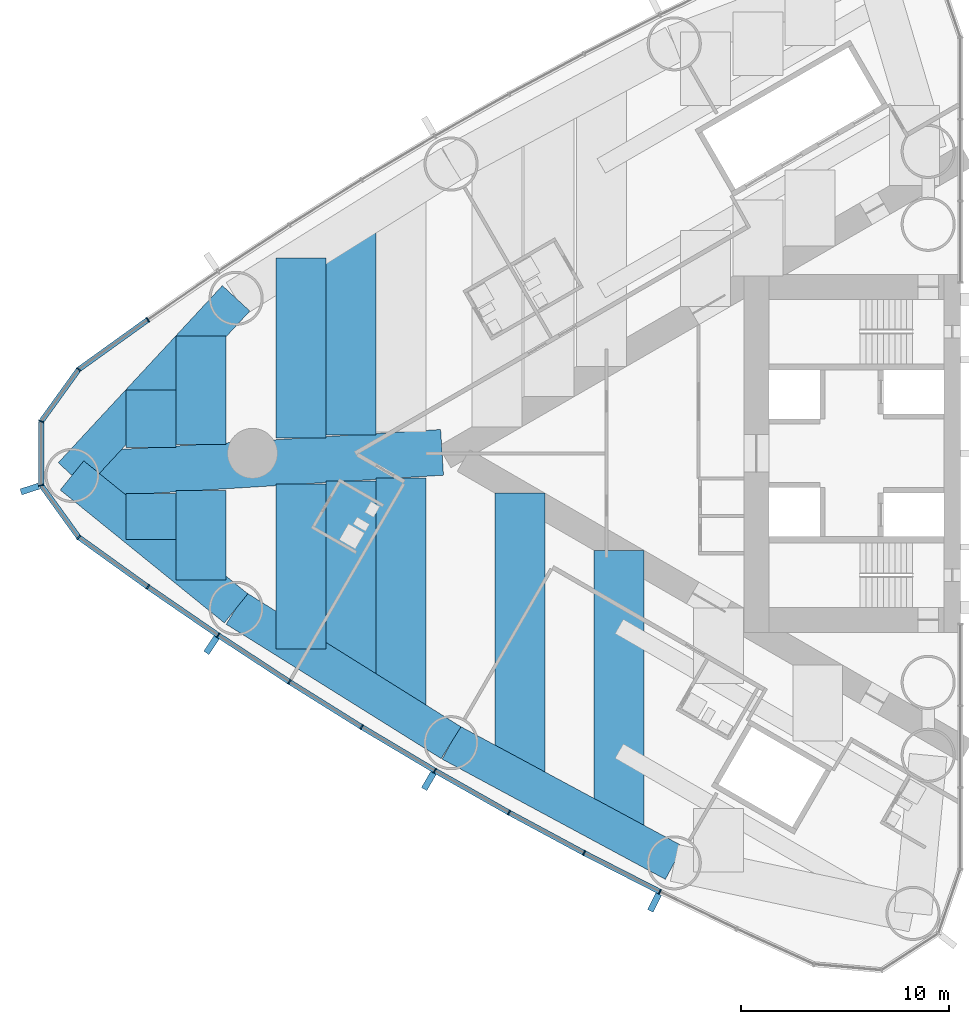
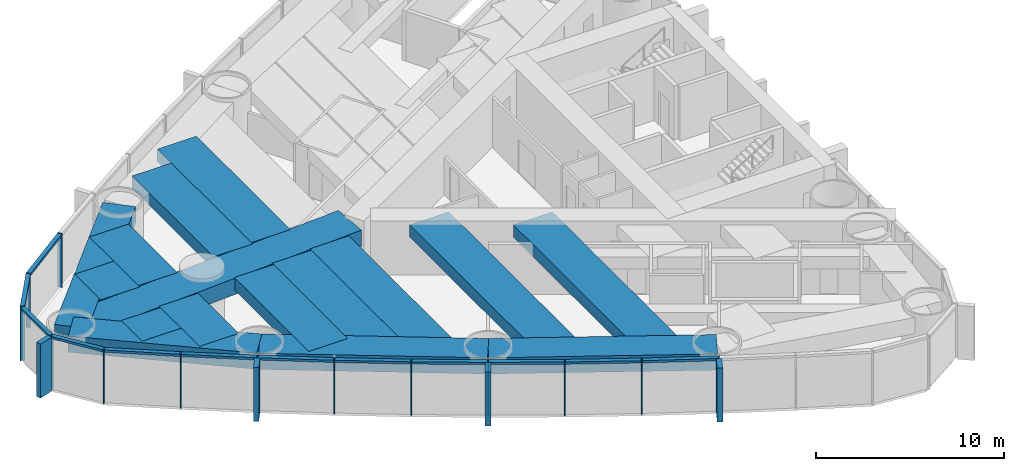
# One storey, part 2 of 18: 29 members, 16 beams, 1 element without a shape of its own.
"""IFC4 building model written with IfcOpenShell, lengths in metres."""

from ifc_helpers import new_model, si_unit, direction, frame, origin, origin_2d, place, context, subcontext, project, spatial, rectangle, extrude, material, material_profile, profile_set, type_object, element, aggregate, save


model = new_model("IFC4")

# Units and contexts
model_context = context("Model", 3, precision=1e-05, world=origin(), true_north=direction((0.0, 1.0)))
body_context = subcontext(model_context, "Body", "Model", "MODEL_VIEW")
ifc_project = project(units=[si_unit("LENGTHUNIT", "METRE"), si_unit("AREAUNIT", "SQUARE_METRE"), si_unit("VOLUMEUNIT", "CUBIC_METRE"), si_unit("PLANEANGLEUNIT", "RADIAN"), si_unit("MASSUNIT", "GRAM", prefix="KILO")], contexts=[model_context])

# Site, building, storey
site_placement = place(None, origin())
site = spatial("IfcSite", under=ifc_project, at=site_placement, CompositionType="ELEMENT")
building_placement = place(site_placement, origin())
building = spatial("IfcBuilding", under=site, at=building_placement, Name="Lancet Gate Hotel", CompositionType="ELEMENT")
storey_placement = place(building_placement, frame((0.0, 0.0, 118.60009765625)))
storey = spatial("IfcBuildingStorey", under=building, at=storey_placement, Name="L31", CompositionType="ELEMENT", Elevation=118.60009765625)

# Curtain wall, members
ifc_material_1 = material(Name="Aluminium curtain wall", Category="aluminium")
curtain_wall_type = type_object("IfcCurtainWallType", Name="Tower unitised curtain wall", PredefinedType="USERDEFINED", material=ifc_material_1)
curtain_wall_placement = place(storey_placement, origin())
curtain_wall = element("IfcCurtainWall", 1, at=curtain_wall_placement, inside=storey, type_object=curtain_wall_type, Name="T1 L31 curtain wall 1", ObjectType="UNITISED CURTAIN WALL", PredefinedType="USERDEFINED")
ifc_material_2 = material(Name="Aluminium mullion", Category="aluminium")
ifc_material_profile_1 = material_profile(ifc_material_2, rectangle(XDim=0.06494140625, YDim=0.25, at=origin_2d()), Name="MULLION 65x250")
ifc_profile_set_1 = profile_set([ifc_material_profile_1], Name="Aluminium mullion")
member_type_1 = type_object("IfcMemberType", Name="Aluminium mullion 65x250", PredefinedType="MULLION", material=ifc_profile_set_1)
member_1_placement = place(storey_placement, frame((-66.5234375, 6.41650390625, 0.0), z_axis=(0.0, 0.0, 1.0), x_axis=(-0.818327221681, -0.574752606132, 0.0)))
member_1 = element("IfcMember", 2, at=member_1_placement, type_object=member_type_1, Name="T1 L31 curtain wall 1 mullion 16", PredefinedType="MULLION", context=body_context, shape_type="SweptSolid", body=[
    extrude(rectangle(XDim=0.06494140625, YDim=0.25, at=origin_2d()), origin(), (0.0, 0.0, 1.0), 3.5),
])
member_2_placement = place(storey_placement, frame((-69.84619140625, 4.02880859375, 0.0), z_axis=(0.0, 0.0, 1.0), x_axis=(-0.723846229576, -0.6899613293, 0.0)))
member_2 = element("IfcMember", 3, at=member_2_placement, type_object=member_type_1, Name="T1 L31 curtain wall 1 mullion 17", PredefinedType="MULLION", context=body_context, shape_type="SweptSolid", body=[
    extrude(rectangle(XDim=0.06494140625, YDim=0.25, at=origin_2d()), origin(), (0.0, 0.0, 1.0), 3.5),
])
member_3_placement = place(storey_placement, frame((-71.64306640625, 1.536376953125, 0.0), z_axis=(0.0, 0.0, 1.0), x_axis=(-0.307269196735, -0.95162263568, 0.0)))
member_3 = element("IfcMember", 4, at=member_3_placement, type_object=member_type_1, Name="T1 L31 curtain wall 1 mullion 18", PredefinedType="MULLION", context=body_context, shape_type="SweptSolid", body=[
    extrude(rectangle(XDim=0.06494140625, YDim=0.25, at=origin_2d()), origin(), (0.0, 0.0, 1.0), 3.5),
])
member_4_placement = place(storey_placement, frame((-71.64306640625, -1.536376953125, 0.0), z_axis=(0.0, 0.0, 1.0), x_axis=(0.307269196735, -0.95162263568, 0.0)))
member_4 = element("IfcMember", 5, at=member_4_placement, type_object=member_type_1, Name="T1 L31 curtain wall 1 mullion 19", PredefinedType="MULLION", context=body_context, shape_type="SweptSolid", body=[
    extrude(rectangle(XDim=0.06494140625, YDim=0.25, at=origin_2d()), origin(), (0.0, 0.0, 1.0), 3.5),
])
member_5_placement = place(storey_placement, frame((-69.84619140625, -4.02880859375, 0.0), z_axis=(0.0, 0.0, 1.0), x_axis=(0.723846229576, -0.6899613293, 0.0)))
member_5 = element("IfcMember", 6, at=member_5_placement, type_object=member_type_1, Name="T1 L31 curtain wall 1 mullion 20", PredefinedType="MULLION", context=body_context, shape_type="SweptSolid", body=[
    extrude(rectangle(XDim=0.06494140625, YDim=0.25, at=origin_2d()), origin(), (0.0, 0.0, 1.0), 3.5),
])
member_6_placement = place(storey_placement, frame((-66.5234375, -6.41650390625, 0.0), z_axis=(0.0, 0.0, 1.0), x_axis=(0.818327221681, -0.574752606132, 0.0)))
member_6 = element("IfcMember", 7, at=member_6_placement, type_object=member_type_1, Name="T1 L31 curtain wall 1 mullion 21", PredefinedType="MULLION", context=body_context, shape_type="SweptSolid", body=[
    extrude(rectangle(XDim=0.06494140625, YDim=0.25, at=origin_2d()), origin(), (0.0, 0.0, 1.0), 3.5),
])
member_7_placement = place(storey_placement, frame((-63.14990234375, -8.73193359375, 0.0), z_axis=(0.0, 0.0, 1.0), x_axis=(0.830510096234, -0.557003572747, 0.0)))
member_7 = element("IfcMember", 8, at=member_7_placement, type_object=member_type_1, Name="T1 L31 curtain wall 1 mullion 22", PredefinedType="MULLION", context=body_context, shape_type="SweptSolid", body=[
    extrude(rectangle(XDim=0.06494140625, YDim=0.25, at=origin_2d()), origin(), (0.0, 0.0, 1.0), 3.5),
])
member_8_placement = place(storey_placement, frame((-59.7275390625, -10.974365234375, 0.0), z_axis=(0.0, 0.0, 1.0), x_axis=(0.84230807036, -0.538996395727, 0.0)))
member_8 = element("IfcMember", 9, at=member_8_placement, type_object=member_type_1, Name="T1 L31 curtain wall 1 mullion 23", PredefinedType="MULLION", context=body_context, shape_type="SweptSolid", body=[
    extrude(rectangle(XDim=0.06494140625, YDim=0.25, at=origin_2d()), origin(), (0.0, 0.0, 1.0), 3.5),
])
member_9_placement = place(storey_placement, frame((-56.257568359375, -13.142333984375, 0.0), z_axis=(0.0, 0.0, 1.0), x_axis=(0.853715676299, -0.52073942048, 0.0)))
member_9 = element("IfcMember", 10, at=member_9_placement, type_object=member_type_1, Name="T1 L31 curtain wall 1 mullion 24", PredefinedType="MULLION", context=body_context, shape_type="SweptSolid", body=[
    extrude(rectangle(XDim=0.06494140625, YDim=0.25, at=origin_2d()), origin(), (0.0, 0.0, 1.0), 3.5),
])
member_10_placement = place(storey_placement, frame((-52.74169921875, -15.2353515625, 0.0), z_axis=(0.0, 0.0, 1.0), x_axis=(0.86472762718, -0.502241108226, 0.0)))
member_10 = element("IfcMember", 11, at=member_10_placement, type_object=member_type_1, Name="T1 L31 curtain wall 1 mullion 25", PredefinedType="MULLION", context=body_context, shape_type="SweptSolid", body=[
    extrude(rectangle(XDim=0.06494140625, YDim=0.25, at=origin_2d()), origin(), (0.0, 0.0, 1.0), 3.5),
])
member_11_placement = place(storey_placement, frame((-49.181640625, -17.252197265625, 0.0), z_axis=(0.0, 0.0, 1.0), x_axis=(0.875338819507, -0.48351003202, 0.0)))
member_11 = element("IfcMember", 12, at=member_11_placement, type_object=member_type_1, Name="T1 L31 curtain wall 1 mullion 26", PredefinedType="MULLION", context=body_context, shape_type="SweptSolid", body=[
    extrude(rectangle(XDim=0.06494140625, YDim=0.25, at=origin_2d()), origin(), (0.0, 0.0, 1.0), 3.5),
])
member_12_placement = place(storey_placement, frame((-45.578857421875, -19.19189453125, 0.0), z_axis=(0.0, 0.0, 1.0), x_axis=(0.885544335517, -0.46455487279, 0.0)))
member_12 = element("IfcMember", 13, at=member_12_placement, type_object=member_type_1, Name="T1 L31 curtain wall 1 mullion 27", PredefinedType="MULLION", context=body_context, shape_type="SweptSolid", body=[
    extrude(rectangle(XDim=0.06494140625, YDim=0.25, at=origin_2d()), origin(), (0.0, 0.0, 1.0), 3.5),
])
member_13_placement = place(storey_placement, frame((-41.935302734375, -21.053466796875, 0.0), z_axis=(0.0, 0.0, 1.0), x_axis=(0.895339445458, -0.445384415317, 0.0)))
member_13 = element("IfcMember", 14, at=member_13_placement, type_object=member_type_1, Name="T1 L31 curtain wall 1 mullion 28", PredefinedType="MULLION", context=body_context, shape_type="SweptSolid", body=[
    extrude(rectangle(XDim=0.06494140625, YDim=0.25, at=origin_2d()), origin(), (0.0, 0.0, 1.0), 3.5),
])
ifc_material_3 = material(Name="Aluminium transom", Category="aluminium")
ifc_material_profile_2 = material_profile(ifc_material_3, rectangle(XDim=0.25, YDim=0.14990234375, at=origin_2d()), Name="TRANSOM 250x150")
ifc_profile_set_2 = profile_set([ifc_material_profile_2], Name="Aluminium transom")
member_type_2 = type_object("IfcMemberType", Name="Aluminium transom 250x150", PredefinedType="USERDEFINED", material=ifc_profile_set_2)
member_14_placement = place(storey_placement, frame((-66.5498046875, 6.3974609375, 3.4248046875), z_axis=(-0.812099770796, -0.583518604908, 0.0), x_axis=(0.583518604908, -0.812099770796, 0.0)))
member_14 = element("IfcMember", 15, at=member_14_placement, type_object=member_type_2, Name="T1 L31 curtain wall 1 transom 16", ObjectType="TRANSOM", PredefinedType="USERDEFINED", context=body_context, shape_type="SweptSolid", body=[
    extrude(rectangle(XDim=0.25, YDim=0.14990234375, at=origin_2d()), origin(), (0.0, 0.0, 1.0), 4.026611328125),
])
member_15_placement = place(storey_placement, frame((-69.865234375, 4.00244140625, 3.4248046875), z_axis=(-0.584787911241, -0.81118622946, 0.0), x_axis=(0.81118622946, -0.584787911241, 0.0)))
member_15 = element("IfcMember", 16, at=member_15_placement, type_object=member_type_2, Name="T1 L31 curtain wall 1 transom 17", ObjectType="TRANSOM", PredefinedType="USERDEFINED", context=body_context, shape_type="SweptSolid", body=[
    extrude(rectangle(XDim=0.25, YDim=0.14990234375, at=origin_2d()), origin(), (0.0, 0.0, 1.0), 3.007568359375),
])
member_16_placement = place(storey_placement, frame((-71.64306640625, 1.50390625, 3.4248046875), z_axis=(0.0, -1.0, 0.0), x_axis=(1.0, 0.0, 0.0)))
member_16 = element("IfcMember", 17, at=member_16_placement, type_object=member_type_2, Name="T1 L31 curtain wall 1 transom 18", ObjectType="TRANSOM", PredefinedType="USERDEFINED", context=body_context, shape_type="SweptSolid", body=[
    extrude(rectangle(XDim=0.25, YDim=0.14990234375, at=origin_2d()), origin(), (0.0, 0.0, 1.0), 3.0078125),
])
member_17_placement = place(storey_placement, frame((-71.6240234375, -1.562744140625, 3.4248046875), z_axis=(0.584787911241, -0.81118622946, 0.0), x_axis=(0.81118622946, 0.584787911241, 0.0)))
member_17 = element("IfcMember", 18, at=member_17_placement, type_object=member_type_2, Name="T1 L31 curtain wall 1 transom 19", ObjectType="TRANSOM", PredefinedType="USERDEFINED", context=body_context, shape_type="SweptSolid", body=[
    extrude(rectangle(XDim=0.25, YDim=0.14990234375, at=origin_2d()), origin(), (0.0, 0.0, 1.0), 3.007568359375),
])
member_18_placement = place(storey_placement, frame((-69.81982421875, -4.0478515625, 3.4248046875), z_axis=(0.812099770796, -0.583518604908, 0.0), x_axis=(0.583518604908, 0.812099770796, 0.0)))
member_18 = element("IfcMember", 19, at=member_18_placement, type_object=member_type_2, Name="T1 L31 curtain wall 1 transom 20", ObjectType="TRANSOM", PredefinedType="USERDEFINED", context=body_context, shape_type="SweptSolid", body=[
    extrude(rectangle(XDim=0.25, YDim=0.14990234375, at=origin_2d()), origin(), (0.0, 0.0, 1.0), 4.026611328125),
])
member_19_placement = place(storey_placement, frame((-66.49658203125, -6.434814453125, 3.4248046875), z_axis=(0.824455665247, -0.565926546508, 0.0), x_axis=(0.565926546508, 0.824455665247, 0.0)))
member_19 = element("IfcMember", 20, at=member_19_placement, type_object=member_type_2, Name="T1 L31 curtain wall 1 transom 21", ObjectType="TRANSOM", PredefinedType="USERDEFINED", context=body_context, shape_type="SweptSolid", body=[
    extrude(rectangle(XDim=0.25, YDim=0.14990234375, at=origin_2d()), origin(), (0.0, 0.0, 1.0), 4.026611328125),
])
member_20_placement = place(storey_placement, frame((-63.122802734375, -8.749755859375, 3.4248046875), z_axis=(0.83645442085, -0.548036496815, 0.0), x_axis=(0.548036496815, 0.83645442085, 0.0)))
member_20 = element("IfcMember", 21, at=member_20_placement, type_object=member_type_2, Name="T1 L31 curtain wall 1 transom 22", ObjectType="TRANSOM", PredefinedType="USERDEFINED", context=body_context, shape_type="SweptSolid", body=[
    extrude(rectangle(XDim=0.25, YDim=0.14990234375, at=origin_2d()), origin(), (0.0, 0.0, 1.0), 4.026611328125),
])
member_21_placement = place(storey_placement, frame((-59.699951171875, -10.991455078125, 3.4248046875), z_axis=(0.848049393821, -0.529917187531, 0.0), x_axis=(0.529917187531, 0.848049393821, 0.0)))
member_21 = element("IfcMember", 22, at=member_21_placement, type_object=member_type_2, Name="T1 L31 curtain wall 1 transom 23", ObjectType="TRANSOM", PredefinedType="USERDEFINED", context=body_context, shape_type="SweptSolid", body=[
    extrude(rectangle(XDim=0.25, YDim=0.14990234375, at=origin_2d()), origin(), (0.0, 0.0, 1.0), 4.026611328125),
])
member_22_placement = place(storey_placement, frame((-56.2294921875, -13.1591796875, 3.4248046875), z_axis=(0.859285270342, -0.511496651186, 0.0), x_axis=(0.511496651186, 0.859285270342, 0.0)))
member_22 = element("IfcMember", 23, at=member_22_placement, type_object=member_type_2, Name="T1 L31 curtain wall 1 transom 24", ObjectType="TRANSOM", PredefinedType="USERDEFINED", context=body_context, shape_type="SweptSolid", body=[
    extrude(rectangle(XDim=0.25, YDim=0.14990234375, at=origin_2d()), origin(), (0.0, 0.0, 1.0), 4.026611328125),
])
member_23_placement = place(storey_placement, frame((-52.71337890625, -15.25146484375, 3.4248046875), z_axis=(0.870091531013, -0.492890178091, 0.0), x_axis=(0.492890178091, 0.870091531013, 0.0)))
member_23 = element("IfcMember", 24, at=member_23_placement, type_object=member_type_2, Name="T1 L31 curtain wall 1 transom 25", ObjectType="TRANSOM", PredefinedType="USERDEFINED", context=body_context, shape_type="SweptSolid", body=[
    extrude(rectangle(XDim=0.25, YDim=0.14990234375, at=origin_2d()), origin(), (0.0, 0.0, 1.0), 4.026611328125),
])
member_24_placement = place(storey_placement, frame((-49.153076171875, -17.267578125, 3.4248046875), z_axis=(0.880498353192, -0.474049206335, 0.0), x_axis=(0.474049206335, 0.880498353192, 0.0)))
member_24 = element("IfcMember", 25, at=member_24_placement, type_object=member_type_2, Name="T1 L31 curtain wall 1 transom 26", ObjectType="TRANSOM", PredefinedType="USERDEFINED", context=body_context, shape_type="SweptSolid", body=[
    extrude(rectangle(XDim=0.25, YDim=0.14990234375, at=origin_2d()), origin(), (0.0, 0.0, 1.0), 4.02685546875),
])
member_25_placement = place(storey_placement, frame((-45.550048828125, -19.20654296875, 3.4248046875), z_axis=(0.89047617483, -0.455029869415, 0.0), x_axis=(0.455029869415, 0.89047617483, 0.0)))
member_25 = element("IfcMember", 26, at=member_25_placement, type_object=member_type_2, Name="T1 L31 curtain wall 1 transom 27", ObjectType="TRANSOM", PredefinedType="USERDEFINED", context=body_context, shape_type="SweptSolid", body=[
    extrude(rectangle(XDim=0.25, YDim=0.14990234375, at=origin_2d()), origin(), (0.0, 0.0, 1.0), 4.026611328125),
])

# Beams
ifc_material_4 = material(Name="Concrete C50/60", Category="concrete")
ifc_material_profile_3 = material_profile(ifc_material_4, rectangle(XDim=1.800048828125, YDim=1.050048828125, at=origin_2d()), Name="RC 1800x1050")
ifc_profile_set_3 = profile_set([ifc_material_profile_3], Name="Concrete C50/60")
beam_type_1 = type_object("IfcBeamType", Name="Edge beam RC 1800x1050", PredefinedType="SPANDREL", material=ifc_profile_set_3)
beam_1_placement = place(storey_placement, frame((-62.28662109375, 7.444580078125, 2.724853515625), z_axis=(-0.679718253794, -0.733473309303, 0.0), x_axis=(0.733473309303, -0.679718253794, 0.0)))
element("IfcBeam", 27, at=beam_1_placement, inside=storey, type_object=beam_type_1, Name="T1 edge beam EB1 L31", PredefinedType="SPANDREL", context=body_context, shape_type="SweptSolid", body=[
    extrude(rectangle(XDim=1.800048828125, YDim=1.050048828125, at=origin_2d()), origin(), (0.0, 0.0, 1.0), 11.594970703125),
])
beam_2_placement = place(storey_placement, frame((-70.16796875, -1.06005859375, 2.724853515625), z_axis=(0.777033503891, -0.629459239213, 0.0), x_axis=(0.629459239213, 0.777033503891, 0.0)))
element("IfcBeam", 28, at=beam_2_placement, inside=storey, type_object=beam_type_1, Name="T1 edge beam EB1 L31", PredefinedType="SPANDREL", context=body_context, shape_type="SweptSolid", body=[
    extrude(rectangle(XDim=1.800048828125, YDim=1.050048828125, at=origin_2d()), origin(), (0.0, 0.0, 1.0), 10.142822265625),
])
for number, where, z_axis, x_axis, name in (
    (29, (-62.28662109375, -7.444580078125, 2.724853515625), (0.848062521637, -0.529896177939, 0.0), (0.529896177939, 0.848062521637, 0.0), "T1 edge beam EB1 L31"),
    (30, (-51.963134765625, -13.89501953125, 2.724853515625), (0.880492350889, -0.474060354835, 0.0), (0.474060354835, 0.880492350889, 0.0), "T1 edge beam EB1 L31"),
):
    element("IfcBeam", number, at=place(storey_placement, frame(where, z_axis=z_axis, x_axis=x_axis)), inside=storey, type_object=beam_type_1, Name=name, PredefinedType="SPANDREL", context=body_context, shape_type="SweptSolid", body=[
        extrude(rectangle(XDim=1.800048828125, YDim=1.050048828125, at=origin_2d()), origin(), (0.0, 0.0, 1.0), 12.173095703125),
    ])

# Member
ifc_material_5 = material(Name="Precast concrete C50/60", Category="concrete")
ifc_material_profile_4 = material_profile(ifc_material_5, rectangle(XDim=0.300048828125, YDim=0.89990234375, at=origin_2d()), Name="FIN 300x900")
ifc_profile_set_4 = profile_set([ifc_material_profile_4], Name="Precast concrete C50/60")
member_type_3 = type_object("IfcMemberType", Name="Exposed concrete fin 300x900", PredefinedType="USERDEFINED", material=ifc_profile_set_4)
member_26_placement = place(storey_placement, frame((-72.190185546875, -1.713134765625, 0.0), z_axis=(0.0, 0.0, 1.0), x_axis=(0.307269196735, -0.95162263568, 0.0)))
member_26 = element("IfcMember", 31, at=member_26_placement, type_object=member_type_3, Name="T1 L31 curtain wall 1 fin 19", ObjectType="FIN", PredefinedType="USERDEFINED", context=body_context, shape_type="SweptSolid", body=[
    extrude(rectangle(XDim=0.300048828125, YDim=0.89990234375, at=origin_2d()), origin(), (0.0, 0.0, 1.0), 3.5),
])

member_27_placement = place(storey_placement, frame((-63.47021484375, -9.20947265625, 0.0), z_axis=(0.0, 0.0, 1.0), x_axis=(0.830510096234, -0.557003572747, 0.0)))
member_27 = element("IfcMember", 32, at=member_27_placement, type_object=member_type_3, Name="T1 L31 curtain wall 1 fin 22", ObjectType="FIN", PredefinedType="USERDEFINED", context=body_context, shape_type="SweptSolid", body=[
    extrude(rectangle(XDim=0.300048828125, YDim=0.89990234375, at=origin_2d()), origin(), (0.0, 0.0, 1.0), 3.5),
])

member_28_placement = place(storey_placement, frame((-53.030517578125, -15.732666015625, 0.0), z_axis=(0.0, 0.0, 1.0), x_axis=(0.86472762718, -0.502241108226, 0.0)))
member_28 = element("IfcMember", 33, at=member_28_placement, type_object=member_type_3, Name="T1 L31 curtain wall 1 fin 25", ObjectType="FIN", PredefinedType="USERDEFINED", context=body_context, shape_type="SweptSolid", body=[
    extrude(rectangle(XDim=0.300048828125, YDim=0.89990234375, at=origin_2d()), origin(), (0.0, 0.0, 1.0), 3.5),
])

member_29_placement = place(storey_placement, frame((-42.19140625, -21.568359375, 0.0), z_axis=(0.0, 0.0, 1.0), x_axis=(0.895339445458, -0.445384415317, 0.0)))
member_29 = element("IfcMember", 34, at=member_29_placement, type_object=member_type_3, Name="T1 L31 curtain wall 1 fin 28", ObjectType="FIN", PredefinedType="USERDEFINED", context=body_context, shape_type="SweptSolid", body=[
    extrude(rectangle(XDim=0.300048828125, YDim=0.89990234375, at=origin_2d()), origin(), (0.0, 0.0, 1.0), 3.5),
])

aggregate(curtain_wall, [member_1, member_2, member_3, member_4, member_26, member_5, member_6, member_7, member_27, member_8, member_9, member_10, member_28, member_11, member_12, member_13, member_29, member_14, member_15, member_16, member_17, member_18, member_19, member_20, member_21, member_22, member_23, member_24, member_25])

# Beams
ifc_material_6 = material(Name="Concrete C50/60", Category="concrete")
ifc_material_profile_5 = material_profile(ifc_material_6, rectangle(XDim=2.39990234375, YDim=0.800048828125, at=origin_2d()), Name="RC 2400x800")
ifc_profile_set_5 = profile_set([ifc_material_profile_5], Name="Concrete C50/60")
beam_type_2 = type_object("IfcBeamType", Name="Floor beam RC 2400x800", PredefinedType="BEAM", material=ifc_profile_set_5)
beam_3_placement = place(storey_placement, frame((-43.891357421875, -4.663330078125, 2.849853515625), z_axis=(0.0, -1.0, 0.0), x_axis=(1.0, 0.0, 0.0)))
element("IfcBeam", 35, at=beam_3_placement, inside=storey, type_object=beam_type_2, Name="T1 floor beam F08N L31", PredefinedType="BEAM", context=body_context, shape_type="SweptSolid", body=[
    extrude(rectangle(XDim=2.39990234375, YDim=0.800048828125, at=origin_2d()), origin(), (0.0, 0.0, 1.0), 13.57763671875),
])
beam_4_placement = place(storey_placement, frame((-48.66015625, -1.909912109375, 2.849853515625), z_axis=(0.0, -1.0, 0.0), x_axis=(1.0, 0.0, 0.0)))
element("IfcBeam", 36, at=beam_4_placement, inside=storey, type_object=beam_type_2, Name="T1 floor beam F11N L31", PredefinedType="BEAM", context=body_context, shape_type="SweptSolid", body=[
    extrude(rectangle(XDim=2.39990234375, YDim=0.800048828125, at=origin_2d()), origin(), (0.0, 0.0, 1.0), 13.763427734375),
])
beam_5_placement = place(storey_placement, frame((-54.3681640625, -1.177001953125, 2.849853515625), z_axis=(0.0, -1.0, 0.0), x_axis=(1.0, 0.0, 0.0)))
element("IfcBeam", 37, at=beam_5_placement, inside=storey, type_object=beam_type_2, Name="T1 floor beam F14N L31", PredefinedType="BEAM", context=body_context, shape_type="SweptSolid", body=[
    extrude(rectangle(XDim=2.39990234375, YDim=0.800048828125, at=origin_2d()), origin(), (0.0, 0.0, 1.0), 11.21533203125),
])
beam_6_placement = place(storey_placement, frame((-56.768310546875, 10.892578125, 2.849853515625), z_axis=(0.0, -1.0, 0.0), x_axis=(1.0, 0.0, 0.0)))
element("IfcBeam", 38, at=beam_6_placement, inside=storey, type_object=beam_type_2, Name="T1 floor beam F15S L31", PredefinedType="BEAM", context=body_context, shape_type="SweptSolid", body=[
    extrude(rectangle(XDim=2.39990234375, YDim=0.800048828125, at=origin_2d()), origin(), (0.0, 0.0, 1.0), 10.014892578125),
])
beam_7_placement = place(storey_placement, frame((-56.768310546875, -1.32666015625, 2.849853515625), z_axis=(0.0, -1.0, 0.0), x_axis=(1.0, 0.0, 0.0)))
element("IfcBeam", 39, at=beam_7_placement, inside=storey, type_object=beam_type_2, Name="T1 floor beam F16N L31", PredefinedType="BEAM", context=body_context, shape_type="SweptSolid", body=[
    extrude(rectangle(XDim=2.39990234375, YDim=0.800048828125, at=origin_2d()), origin(), (0.0, 0.0, 1.0), 9.56591796875),
])
beam_8_placement = place(storey_placement, frame((-59.168212890625, 9.39306640625, 2.849853515625), z_axis=(0.0, -1.0, 0.0), x_axis=(1.0, 0.0, 0.0)))
element("IfcBeam", 40, at=beam_8_placement, inside=storey, type_object=beam_type_2, Name="T1 floor beam F17S L31", PredefinedType="BEAM", context=body_context, shape_type="SweptSolid", body=[
    extrude(rectangle(XDim=2.39990234375, YDim=0.800048828125, at=origin_2d()), origin(), (0.0, 0.0, 1.0), 8.6650390625),
])
beam_9_placement = place(storey_placement, frame((-59.168212890625, -1.476318359375, 2.849853515625), z_axis=(0.0, -1.0, 0.0), x_axis=(1.0, 0.0, 0.0)))
element("IfcBeam", 41, at=beam_9_placement, inside=storey, type_object=beam_type_2, Name="T1 floor beam F18N L31", PredefinedType="BEAM", context=body_context, shape_type="SweptSolid", body=[
    extrude(rectangle(XDim=2.39990234375, YDim=0.800048828125, at=origin_2d()), origin(), (0.0, 0.0, 1.0), 7.916748046875),
])
beam_10_placement = place(storey_placement, frame((-63.96826171875, 5.6298828125, 2.849853515625), z_axis=(0.0, -1.0, 0.0), x_axis=(1.0, 0.0, 0.0)))
element("IfcBeam", 42, at=beam_10_placement, inside=storey, type_object=beam_type_2, Name="T1 floor beam F19S L31", PredefinedType="BEAM", context=body_context, shape_type="SweptSolid", body=[
    extrude(rectangle(XDim=2.39990234375, YDim=0.800048828125, at=origin_2d()), origin(), (0.0, 0.0, 1.0), 5.201171875),
])
beam_11_placement = place(storey_placement, frame((-63.96826171875, -1.775634765625, 2.849853515625), z_axis=(0.0, -1.0, 0.0), x_axis=(1.0, 0.0, 0.0)))
element("IfcBeam", 43, at=beam_11_placement, inside=storey, type_object=beam_type_2, Name="T1 floor beam F20N L31", PredefinedType="BEAM", context=body_context, shape_type="SweptSolid", body=[
    extrude(rectangle(XDim=2.39990234375, YDim=0.800048828125, at=origin_2d()), origin(), (0.0, 0.0, 1.0), 4.306640625),
])
beam_12_placement = place(storey_placement, frame((-66.3681640625, 3.040283203125, 2.849853515625), z_axis=(0.0, -1.0, 0.0), x_axis=(1.0, 0.0, 0.0)))
element("IfcBeam", 44, at=beam_12_placement, inside=storey, type_object=beam_type_2, Name="T1 floor beam F21S L31", PredefinedType="BEAM", context=body_context, shape_type="SweptSolid", body=[
    extrude(rectangle(XDim=2.39990234375, YDim=0.800048828125, at=origin_2d()), origin(), (0.0, 0.0, 1.0), 2.76123046875),
])
beam_13_placement = place(storey_placement, frame((-66.3681640625, -1.92529296875, 2.849853515625), z_axis=(0.0, -1.0, 0.0), x_axis=(1.0, 0.0, 0.0)))
element("IfcBeam", 45, at=beam_13_placement, inside=storey, type_object=beam_type_2, Name="T1 floor beam F22N L31", PredefinedType="BEAM", context=body_context, shape_type="SweptSolid", body=[
    extrude(rectangle(XDim=2.39990234375, YDim=0.800048828125, at=origin_2d()), origin(), (0.0, 0.0, 1.0), 2.212890625),
])
ifc_material_7 = material(Name="Concrete C50/60", Category="concrete")
ifc_material_profile_6 = material_profile(ifc_material_7, rectangle(XDim=2.199951171875, YDim=1.050048828125, at=origin_2d()), Name="RC 2200x1050")
ifc_profile_set_6 = profile_set([ifc_material_profile_6], Name="Concrete C50/60")
beam_type_3 = type_object("IfcBeamType", Name="Radial floor beam RC 2200x1050", PredefinedType="BEAM", material=ifc_profile_set_6)
beam_14_placement = place(storey_placement, frame((-70.16796875, -1.06005859375, 2.724853515625), z_axis=(0.998061637313, 0.062233175423, 0.0), x_axis=(-0.062233175423, 0.998061637313, 0.0)))
element("IfcBeam", 46, at=beam_14_placement, inside=storey, type_object=beam_type_3, Name="T1 radial beam CA L31", PredefinedType="BEAM", context=body_context, shape_type="SweptSolid", body=[
    extrude(rectangle(XDim=2.199951171875, YDim=1.050048828125, at=origin_2d()), origin(), (0.0, 0.0, 1.0), 17.806396484375),
])

save(model, "model.ifc")
